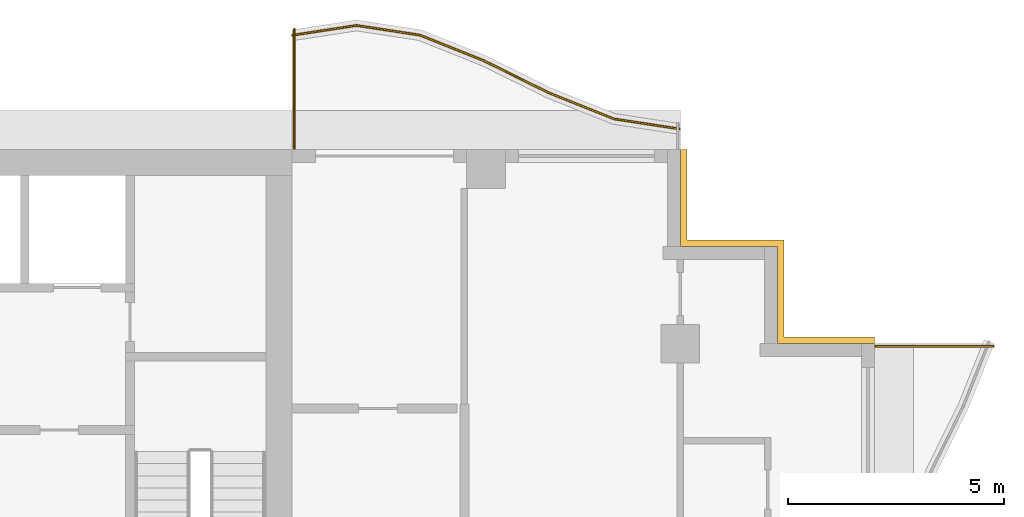
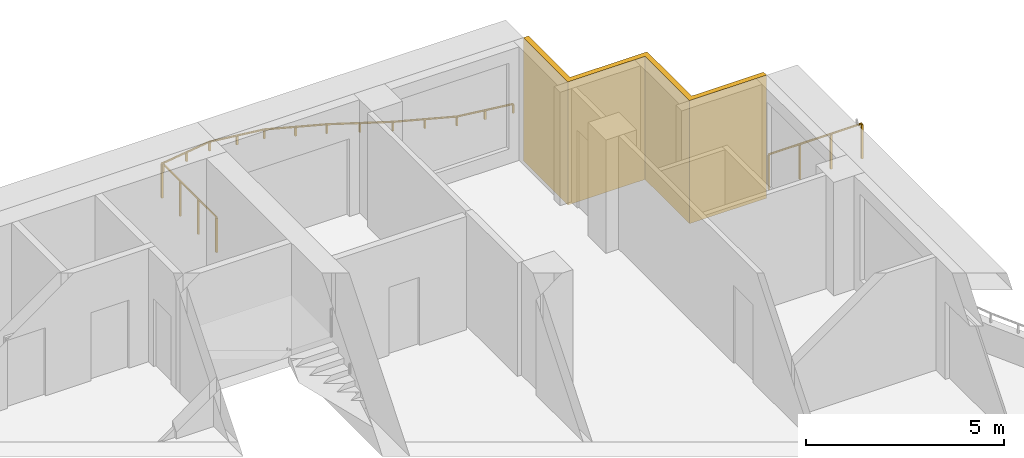
# One storey, part 12 of 12: 3 railings, 1 shading device.
"""IFC4 building model written with IfcOpenShell, lengths in metres."""

from ifc_helpers import new_model, si_unit, direction, frame, origin, origin_2d, place, context, subcontext, project, spatial, polyline, rectangle, outline, extrude, material, layer, layer_set, type_object, element, save


model = new_model("IFC4")

# Units and contexts
model_context = context("Model", 3, precision=1e-05, world=origin(), true_north=direction((0.0, 1.0)))
body_context = subcontext(model_context, "Body", "Model", "MODEL_VIEW")
ifc_project = project(units=[si_unit("LENGTHUNIT", "METRE"), si_unit("AREAUNIT", "SQUARE_METRE"), si_unit("VOLUMEUNIT", "CUBIC_METRE"), si_unit("PLANEANGLEUNIT", "RADIAN"), si_unit("MASSUNIT", "GRAM", prefix="KILO")], contexts=[model_context])

# Site, building, storey
site_placement = place(None, origin())
site = spatial("IfcSite", under=ifc_project, at=site_placement, CompositionType="ELEMENT")
building_placement = place(site_placement, origin())
building = spatial("IfcBuilding", under=site, at=building_placement, Name="Orbiselva Terraces", CompositionType="ELEMENT")
storey_placement = place(building_placement, frame((0.0, 0.0, 265.4)))
storey = spatial("IfcBuildingStorey", under=building, at=storey_placement, Name="L67", CompositionType="ELEMENT", Elevation=265.4)

# Railings
ifc_material_1 = material(Name="Bonded two-ply safety glass balustrade, stainless steel posts", Category="steel")
railing_type_1 = type_object("IfcRailingType", Name="ENV-BALUSTRADE-1200", PredefinedType="BALUSTRADE", material=ifc_material_1)
railing_1_placement = place(storey_placement, frame((22.481121, 22.976434, 0.9)))
element("IfcRailing", 1, at=railing_1_placement, inside=storey, type_object=railing_type_1, Name="Balcony balustrade L67 NE", PredefinedType="BALUSTRADE", context=body_context, shape_type="SweptSolid", body=[
    extrude(outline(polyline([(0.028868, 0.0), (0.014434, 0.025), (-0.014434, 0.025), (-0.028868, 0.0), (-0.014434, -0.025), (0.014434, -0.025), (0.028868, 0.0)])), frame((0.0, 0.0, 0.275), z_axis=(-0.988528588529, 0.151033869252, 0.0), x_axis=(-0.151033869252, -0.988528588529, 0.0)), (0.0, 0.0, 1.0), 1.531776),
    extrude(outline(polyline([(0.028868, 0.0), (0.014434, 0.025), (-0.014434, 0.025), (-0.028868, 0.0), (-0.014434, -0.025), (0.014434, -0.025), (0.028868, 0.0)])), frame((-1.514204, 0.23135, 0.275), z_axis=(-0.92847681744, 0.371390359967, 0.0), x_axis=(-0.371390359967, -0.92847681744, 0.0)), (0.0, 0.0, 1.0), 1.634838),
    extrude(outline(polyline([(0.028868, 0.0), (0.014434, 0.025), (-0.014434, 0.025), (-0.028868, 0.0), (-0.014434, -0.025), (0.014434, -0.025), (0.028868, 0.0)])), frame((-3.032113, 0.838513, 0.275), z_axis=(-0.896416672454, 0.443212307306, 0.0), x_axis=(-0.443212307306, -0.896416672454, 0.0)), (0.0, 0.0, 1.0), 1.673329),
    extrude(outline(polyline([(0.028868, 0.0), (0.014434, 0.025), (-0.014434, 0.025), (-0.028868, 0.0), (-0.014434, -0.025), (0.014434, -0.025), (0.028868, 0.0)])), frame((-4.532113, 1.580153, 0.275), z_axis=(-0.928476561272, 0.371391000387, 0.0), x_axis=(-0.371391000387, -0.928476561272, 0.0)), (0.0, 0.0, 1.0), 1.596261),
    extrude(outline(polyline([(0.028868, 0.0), (0.014434, 0.025), (-0.014434, 0.025), (-0.028868, 0.0), (-0.014434, -0.025), (0.014434, -0.025), (0.028868, 0.0)])), frame((-6.014204, 2.17299, 0.275), z_axis=(-0.988528606898, 0.151033749027, 0.0), x_axis=(-0.151033749027, -0.988528606898, 0.0)), (0.0, 0.0, 1.0), 1.48394),
    extrude(outline(polyline([(0.028868, 0.0), (0.014434, 0.025), (-0.014434, 0.025), (-0.028868, 0.0), (-0.014434, -0.025), (0.014434, -0.025), (0.028868, 0.0)])), frame((-7.481121, 2.397115, 0.275), z_axis=(-0.988528624669, -0.151033632714, 0.0), x_axis=(0.151033632714, -0.988528624669, 0.0)), (0.0, 0.0, 1.0), 1.498309),
    extrude(rectangle(XDim=0.05, YDim=0.05, at=origin_2d()), origin(), (0.0, 0.0, 1.0), 0.25),
    extrude(rectangle(XDim=0.05, YDim=0.05, at=origin_2d()), frame((-0.757102, 0.115675, 0.0)), (0.0, 0.0, 1.0), 0.25),
    extrude(rectangle(XDim=0.05, YDim=0.05, at=origin_2d()), frame((-1.514204, 0.23135, 0.0)), (0.0, 0.0, 1.0), 0.25),
    extrude(rectangle(XDim=0.05, YDim=0.05, at=origin_2d()), frame((-2.273159, 0.534931, 0.0)), (0.0, 0.0, 1.0), 0.25),
    extrude(rectangle(XDim=0.05, YDim=0.05, at=origin_2d()), frame((-3.032113, 0.838513, 0.0)), (0.0, 0.0, 1.0), 0.25),
    extrude(rectangle(XDim=0.05, YDim=0.05, at=origin_2d()), frame((-3.782113, 1.209333, 0.0)), (0.0, 0.0, 1.0), 0.25),
    extrude(rectangle(XDim=0.05, YDim=0.05, at=origin_2d()), frame((-4.532113, 1.580153, 0.0)), (0.0, 0.0, 1.0), 0.25),
    extrude(rectangle(XDim=0.05, YDim=0.05, at=origin_2d()), frame((-5.273159, 1.876571, 0.0)), (0.0, 0.0, 1.0), 0.25),
    extrude(rectangle(XDim=0.05, YDim=0.05, at=origin_2d()), frame((-6.014204, 2.17299, 0.0)), (0.0, 0.0, 1.0), 0.25),
    extrude(rectangle(XDim=0.05, YDim=0.05, at=origin_2d()), frame((-6.747663, 2.285052, 0.0)), (0.0, 0.0, 1.0), 0.25),
    extrude(rectangle(XDim=0.05, YDim=0.05, at=origin_2d()), frame((-7.481121, 2.397115, 0.0)), (0.0, 0.0, 1.0), 0.25),
    extrude(rectangle(XDim=0.05, YDim=0.05, at=origin_2d()), frame((-8.221682, 2.283967, 0.0)), (0.0, 0.0, 1.0), 0.25),
    extrude(rectangle(XDim=0.05, YDim=0.05, at=origin_2d()), frame((-8.962242, 2.17082, 0.0)), (0.0, 0.0, 1.0), 0.25),
])
ifc_material_2 = material(Name="Stainless steel rail and posts", Category="steel")
railing_type_2 = type_object("IfcRailingType", Name="ENV-GUARD-1105", PredefinedType="BALUSTRADE", material=ifc_material_2)
railing_2_placement = place(storey_placement, frame((29.752788, 17.94, 0.0)))
element("IfcRailing", 2, at=railing_2_placement, inside=storey, type_object=railing_type_2, Name="Balcony end guard L67 E", PredefinedType="BALUSTRADE", context=body_context, shape_type="SweptSolid", body=[
    extrude(outline(polyline([(0.028868, 0.0), (0.014434, 0.025), (-0.014434, 0.025), (-0.028868, 0.0), (-0.014434, -0.025), (0.014434, -0.025), (0.028868, 0.0)])), frame((0.0, 0.0, 1.08), z_axis=(-1.0, 0.0, 0.0), x_axis=(0.0, -1.0, 0.0)), (0.0, 0.0, 1.0), 2.727788),
    extrude(rectangle(XDim=0.05, YDim=0.05, at=origin_2d()), origin(), (0.0, 0.0, 1.0), 1.055),
    extrude(rectangle(XDim=0.05, YDim=0.05, at=origin_2d()), frame((-0.909263, 0.0, 0.0)), (0.0, 0.0, 1.0), 1.055),
    extrude(rectangle(XDim=0.05, YDim=0.05, at=origin_2d()), frame((-1.818525, 0.0, 0.0)), (0.0, 0.0, 1.0), 1.055),
    extrude(rectangle(XDim=0.05, YDim=0.05, at=origin_2d()), frame((-2.727788, 0.0, 0.0)), (0.0, 0.0, 1.0), 1.055),
])
railing_3_placement = place(storey_placement, frame((13.56, 25.288239, 0.0)))
element("IfcRailing", 3, at=railing_3_placement, inside=storey, type_object=railing_type_2, Name="Balcony end guard L67 NE", PredefinedType="BALUSTRADE", context=body_context, shape_type="SweptSolid", body=[
    extrude(outline(polyline([(0.028868, 0.0), (0.014434, 0.025), (-0.014434, 0.025), (-0.028868, 0.0), (-0.014434, -0.025), (0.014434, -0.025), (0.028868, 0.0)])), frame((0.0, 0.0, 1.08), z_axis=(0.0, -1.0, 0.0), x_axis=(1.0, 0.0, 0.0)), (0.0, 0.0, 1.0), 2.763239),
    extrude(rectangle(XDim=0.05, YDim=0.05, at=origin_2d()), origin(), (0.0, 0.0, 1.0), 1.055),
    extrude(rectangle(XDim=0.05, YDim=0.05, at=origin_2d()), frame((0.0, -0.92108, 0.0)), (0.0, 0.0, 1.0), 1.055),
    extrude(rectangle(XDim=0.05, YDim=0.05, at=origin_2d()), frame((0.0, -1.842159, 0.0)), (0.0, 0.0, 1.0), 1.055),
    extrude(rectangle(XDim=0.05, YDim=0.05, at=origin_2d()), frame((0.0, -2.763239, 0.0)), (0.0, 0.0, 1.0), 1.055),
])

# Shading device
ifc_material_3 = material(Name="Terracotta louvre screen", Category="masonry")
ifc_layer = layer(ifc_material_3, 0.15)
ifc_layer_set = layer_set([ifc_layer], Name="Terracotta louvre screen")
shading_device_type = type_object("IfcShadingDeviceType", Name="ENV-SCREEN-150", PredefinedType="USERDEFINED", material=ifc_layer_set)
shading_device_placement = place(storey_placement, frame((0.0, 0.0, -0.3)))
element("IfcShadingDevice", 4, at=shading_device_placement, inside=storey, type_object=shading_device_type, Name="Louvre screen L67 NE", ObjectType="SCREEN", PredefinedType="USERDEFINED", context=body_context, shape_type="SweptSolid", body=[
    extrude(outline(polyline([(27.0, 18.15), (24.9, 18.15), (24.9, 20.4), (22.65, 20.4), (22.65, 22.5), (22.5, 22.5), (22.5, 20.25), (24.75, 20.25), (24.75, 18.0), (27.0, 18.0), (27.0, 18.15)])), origin(), (0.0, 0.0, 1.0), 3.8),
])

save(model, "model.ifc")
